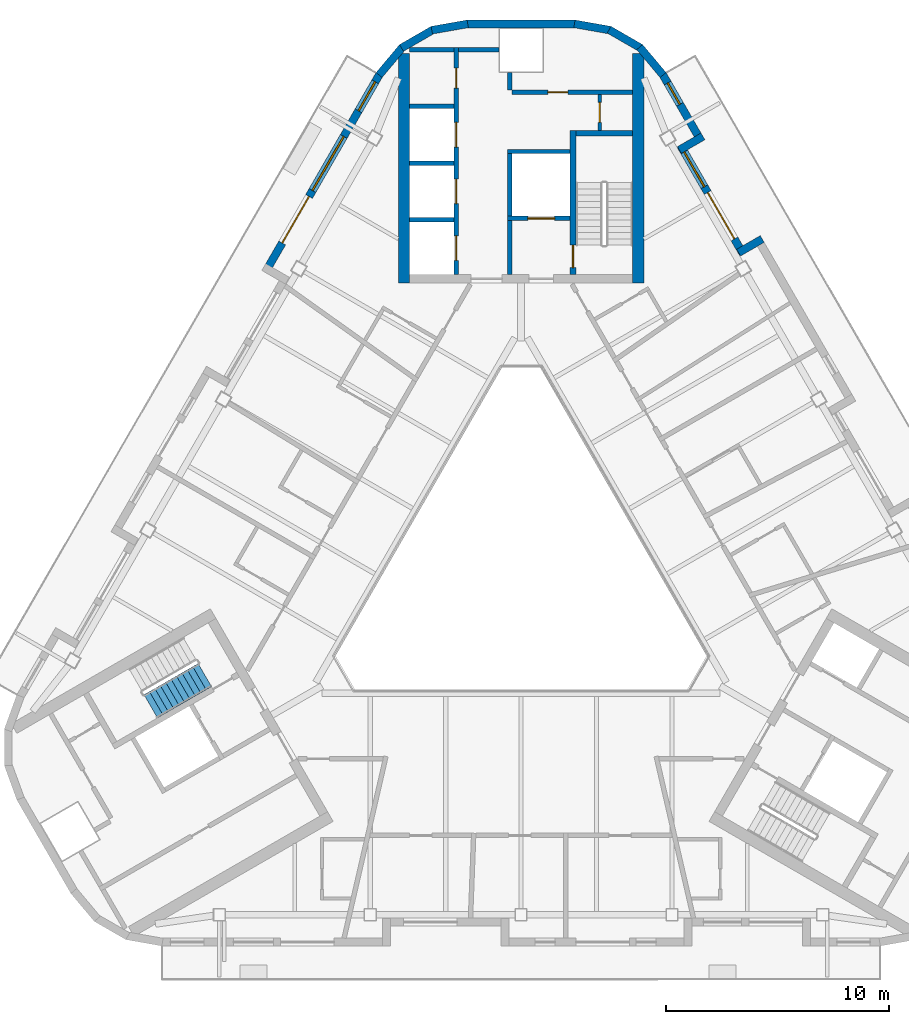
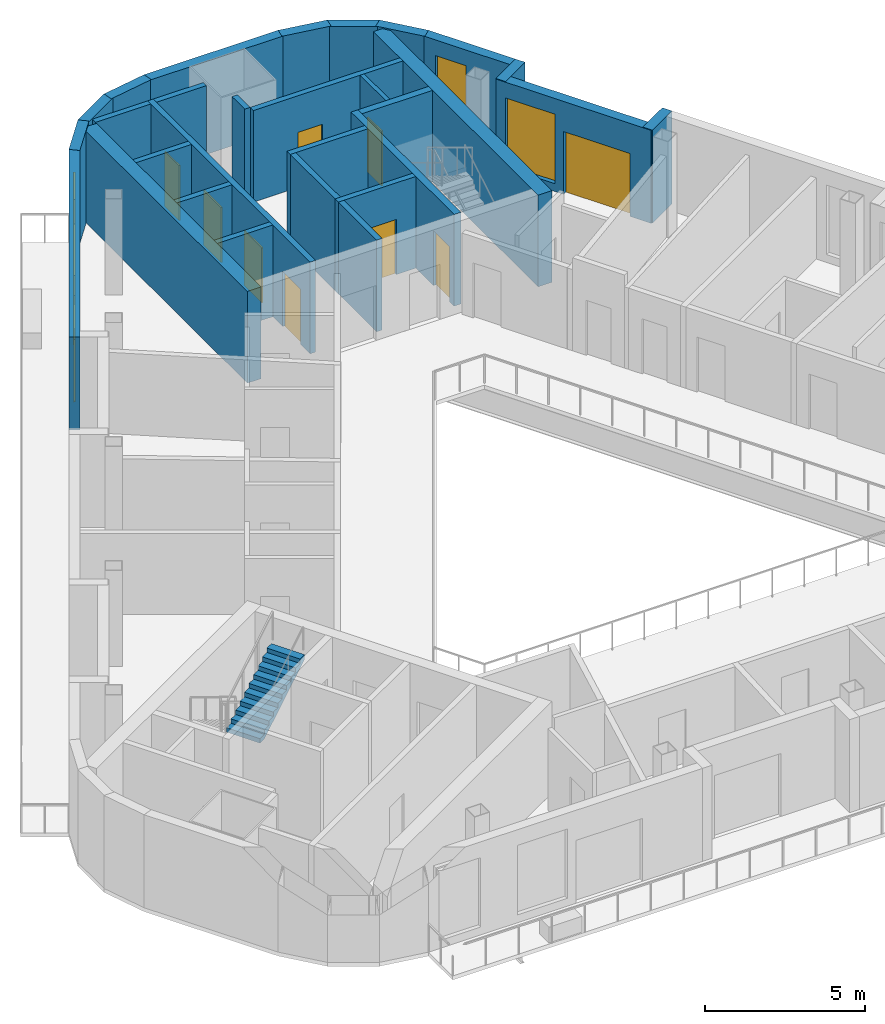
# One storey, part 7 of 12: 29 walls, 10 doors, 4 windows, 1 stair flight, 14 openings, 1 element without a shape of its own.
"""IFC4 building model written with IfcOpenShell, lengths in metres."""

from ifc_helpers import new_model, si_unit, direction, frame, frame_2d, origin, place, context, subcontext, project, spatial, polyline, rectangle, outline, extrude, material, layer, layer_set, type_object, element, fill, aggregate, save


model = new_model("IFC4")

# Units and contexts
model_context = context("Model", 3, precision=1e-05, world=origin(), true_north=direction((0.0, 1.0)))
body_context = subcontext(model_context, "Body", "Model", "MODEL_VIEW")
ifc_project = project(units=[si_unit("LENGTHUNIT", "METRE"), si_unit("AREAUNIT", "SQUARE_METRE"), si_unit("VOLUMEUNIT", "CUBIC_METRE"), si_unit("PLANEANGLEUNIT", "RADIAN"), si_unit("MASSUNIT", "GRAM", prefix="KILO")], contexts=[model_context])

# Site, building, storey
site_placement = place(None, origin())
site = spatial("IfcSite", under=ifc_project, at=site_placement, CompositionType="ELEMENT")
building_placement = place(site_placement, origin())
building = spatial("IfcBuilding", under=site, at=building_placement, Name="Apuvela Tower Hotel", CompositionType="ELEMENT")
storey_placement = place(building_placement, frame((0.0, 0.0, 305.89990234375)))
storey = spatial("IfcBuildingStorey", under=building, at=storey_placement, Name="L76", CompositionType="ELEMENT", Elevation=305.89990234375)

# Walls
ifc_material_1 = material(Name="Concrete C50/60", Category="concrete")
ifc_layer_1 = layer(ifc_material_1, 0.5)
ifc_layer_set_1 = layer_set([ifc_layer_1], Name="COR-WALL-CORE-500")
wall_type_1 = type_object("IfcWallType", Name="COR-WALL-CORE-500", PredefinedType="SHEAR", material=ifc_layer_set_1)
for number, where, z_axis, x_axis, name in (
    (1, (5.25, 12.89990234375, 0.0), (0.0, 0.0, 1.0), (0.0, 1.0, 0.0), "Core wall N"),
    (2, (-5.25, 12.89990234375, 0.0), (0.0, 0.0, 1.0), (0.0, 1.0, 0.0), "Core wall N"),
):
    element("IfcWall", number, at=place(storey_placement, frame(where, z_axis=z_axis, x_axis=x_axis)), inside=storey, type_object=wall_type_1, Name=name, PredefinedType="SHEAR", context=body_context, shape_type="SweptSolid", body=[
        extrude(rectangle(XDim=10.298583984375, YDim=0.5, at=frame_2d((5.1494140625, 0.0))), origin(), (0.0, 0.0, 1.0), 3.5),
    ])

# Wall, opening, door
ifc_material_2 = material(Name="Blockwork 150 mm plastered", Category="masonry")
ifc_layer_2 = layer(ifc_material_2, 0.14990234375)
ifc_layer_set_2 = layer_set([ifc_layer_2], Name="COR-WALL-PART-150")
wall_type_2 = type_object("IfcWallType", Name="COR-WALL-PART-150", PredefinedType="PARTITIONING", material=ifc_layer_set_2)
wall_1_placement = place(storey_placement, frame((3.52490234375, 19.75, 0.0), z_axis=(0.0, 0.0, 1.0), x_axis=(0.0, 1.0, 0.0)))
wall_1 = element("IfcWall", 3, at=wall_1_placement, inside=storey, type_object=wall_type_2, Name="Partition N", PredefinedType="PARTITIONING", context=body_context, shape_type="SweptSolid", body=[
    extrude(rectangle(XDim=1.60009765625, YDim=0.14990234375, at=frame_2d((0.800048828125, 0.0))), origin(), (0.0, 0.0, 1.0), 3.5),
])
opening_1_placement = place(wall_1_placement, frame((0.35009765625, 0.0, 0.0)))
opening_1 = element("IfcOpeningElement", 4, at=opening_1_placement, cuts=wall_1, Name="Opening N-RD", PredefinedType="OPENING", context=body_context, shape_type="SweptSolid", body=[
    extrude(rectangle(XDim=0.89990234375, YDim=2.10009765625, at=frame_2d((0.449951171875, 1.050048828125))), frame((0.0, 0.0849609375, 0.0), z_axis=(0.0, -1.0, 0.0), x_axis=(1.0, 0.0, 0.0)), (0.0, 0.0, 1.0), 0.169921875),
])
ifc_material_3 = material(Name="Steel access door, powder coated", Category="steel")
door_type_1 = type_object("IfcDoorType", Name="COR-RD-900", OperationType="NOTDEFINED", PredefinedType="DOOR", material=ifc_material_3)
door_1_placement = place(opening_1_placement, frame((0.89990234375, 0.0, 0.0), z_axis=(0.0, 0.0, 1.0), x_axis=(-1.0, 0.0, 0.0)))
door_1 = element("IfcDoor", 5, at=door_1_placement, inside=storey, type_object=door_type_1, Name="Riser door N-RD", OperationType="SINGLE_SWING_RIGHT", OverallHeight=2.10009765625, OverallWidth=0.89990234375, PredefinedType="DOOR", context=body_context, shape_type="SweptSolid", body=[
    extrude(rectangle(XDim=0.89990234375, YDim=2.10009765625, at=frame_2d((0.449951171875, 1.050048828125))), frame((0.0, 0.02490234375, 0.0), z_axis=(0.0, -1.0, 0.0), x_axis=(1.0, 0.0, 0.0)), (0.0, 0.0, 1.0), 0.050048828125),
])
fill(opening_1, door_1)

ifc_material_4 = material(Name="Blockwork 200 mm plastered", Category="masonry")
ifc_layer_3 = layer(ifc_material_4, 0.199951171875)
ifc_layer_set_3 = layer_set([ifc_layer_3], Name="COR-WALL-PART-200")
wall_type_3 = type_object("IfcWallType", Name="COR-WALL-PART-200", PredefinedType="PARTITIONING", material=ifc_layer_set_3)
wall_2_placement = place(storey_placement, frame((5.0, 21.449951171875, 0.0), z_axis=(0.0, 0.0, 1.0), x_axis=(-1.0, 0.0, 0.0)))
wall_2 = element("IfcWall", 6, at=wall_2_placement, inside=storey, type_object=wall_type_3, Name="Partition N", PredefinedType="PARTITIONING", context=body_context, shape_type="SweptSolid", body=[
    extrude(rectangle(XDim=5.39990234375, YDim=0.199951171875, at=frame_2d((2.699951171875, 0.0))), origin(), (0.0, 0.0, 1.0), 3.5),
])
opening_2_placement = place(wall_2_placement, frame((2.89990234375, 0.0, 0.0)))
opening_2 = element("IfcOpeningElement", 7, at=opening_2_placement, cuts=wall_2, Name="Opening N-RS1", PredefinedType="OPENING", context=body_context, shape_type="SweptSolid", body=[
    extrude(rectangle(XDim=0.89990234375, YDim=2.10009765625, at=frame_2d((0.449951171875, 1.050048828125))), frame((0.0, 0.10986328125, 0.0), z_axis=(0.0, -1.0, 0.0), x_axis=(1.0, 0.0, 0.0)), (0.0, 0.0, 1.0), 0.219970703125),
])
ifc_material_5 = material(Name="Steel fire door, powder coated", Category="steel")
door_type_2 = type_object("IfcDoorType", Name="COR-DR-900", OperationType="NOTDEFINED", PredefinedType="DOOR", material=ifc_material_5)
door_2_placement = place(opening_2_placement, frame((0.89990234375, 0.0, 0.0), z_axis=(0.0, 0.0, 1.0), x_axis=(-1.0, 0.0, 0.0)))
door_2 = element("IfcDoor", 8, at=door_2_placement, inside=storey, type_object=door_type_2, Name="Store door N-RS1", OperationType="SINGLE_SWING_LEFT", OverallHeight=2.10009765625, OverallWidth=0.89990234375, PredefinedType="DOOR", context=body_context, shape_type="SweptSolid", body=[
    extrude(rectangle(XDim=0.89990234375, YDim=2.10009765625, at=frame_2d((0.449951171875, 1.050048828125))), frame((0.0, 0.02490234375, 0.0), z_axis=(0.0, -1.0, 0.0), x_axis=(1.0, 0.0, 0.0)), (0.0, 0.0, 1.0), 0.050048828125),
])
fill(opening_2, door_2)

# Wall
ifc_layer_4 = layer(ifc_material_1, 0.199951171875)
ifc_layer_set_4 = layer_set([ifc_layer_4], Name="COR-WALL-SHAFT-200")
wall_type_4 = type_object("IfcWallType", Name="COR-WALL-SHAFT-200", PredefinedType="SHEAR", material=ifc_layer_set_4)
wall_3_placement = place(storey_placement, frame((2.199951171875, 18.800048828125, 0.0), z_axis=(0.0, 0.0, 1.0), x_axis=(-1.0, 0.0, 0.0)))
element("IfcWall", 9, at=wall_3_placement, inside=storey, type_object=wall_type_4, Name="Shaft wall N", PredefinedType="SHEAR", context=body_context, shape_type="SweptSolid", body=[
    extrude(rectangle(XDim=2.800048828125, YDim=0.199951171875, at=frame_2d((1.39990234375, 0.0))), origin(), (0.0, 0.0, 1.0), 3.5),
])

# Wall, opening, door
wall_4_placement = place(storey_placement, frame((2.199951171875, 15.800048828125, 0.0), z_axis=(0.0, 0.0, 1.0), x_axis=(-1.0, 0.0, 0.0)))
wall_4 = element("IfcWall", 10, at=wall_4_placement, inside=storey, type_object=wall_type_4, Name="Shaft wall N", PredefinedType="SHEAR", context=body_context, shape_type="SweptSolid", body=[
    extrude(rectangle(XDim=2.800048828125, YDim=0.199951171875, at=frame_2d((1.39990234375, 0.0))), origin(), (0.0, 0.0, 1.0), 3.5),
])
opening_3_placement = place(wall_4_placement, frame((0.699951171875, 0.0, 0.0)))
opening_3 = element("IfcOpeningElement", 11, at=opening_3_placement, cuts=wall_4, Name="Opening N-LD-FS1", PredefinedType="OPENING", context=body_context, shape_type="SweptSolid", body=[
    extrude(rectangle(XDim=1.199951171875, YDim=2.10009765625, at=frame_2d((0.60009765625, 1.050048828125))), frame((0.0, 0.10986328125, 0.0), z_axis=(0.0, -1.0, 0.0), x_axis=(1.0, 0.0, 0.0)), (0.0, 0.0, 1.0), 0.219970703125),
])
ifc_material_6 = material(Name="Stainless steel lift landing door", Category="steel")
door_type_3 = type_object("IfcDoorType", Name="COR-LD-1200", OperationType="DOUBLE_DOOR_SLIDING", PredefinedType="DOOR", material=ifc_material_6)
door_3_placement = place(opening_3_placement, origin())
door_3 = element("IfcDoor", 12, at=door_3_placement, inside=storey, type_object=door_type_3, Name="Lift landing door N-LD-FS1", OperationType="DOUBLE_DOOR_SLIDING", OverallHeight=2.10009765625, OverallWidth=1.199951171875, PredefinedType="DOOR", context=body_context, shape_type="SweptSolid", body=[
    extrude(rectangle(XDim=1.199951171875, YDim=2.10009765625, at=frame_2d((0.60009765625, 1.050048828125))), frame((0.0, 0.02490234375, 0.0), z_axis=(0.0, -1.0, 0.0), x_axis=(1.0, 0.0, 0.0)), (0.0, 0.0, 1.0), 0.050048828125),
])
fill(opening_3, door_3)

# Walls
wall_5_placement = place(storey_placement, frame((-0.5, 15.89990234375, 0.0), z_axis=(0.0, 0.0, 1.0), x_axis=(0.0, 1.0, 0.0)))
element("IfcWall", 13, at=wall_5_placement, inside=storey, type_object=wall_type_4, Name="Shaft wall N", PredefinedType="SHEAR", context=body_context, shape_type="SweptSolid", body=[
    extrude(rectangle(XDim=2.800048828125, YDim=0.199951171875, at=frame_2d((1.39990234375, 0.0))), origin(), (0.0, 0.0, 1.0), 3.5),
])
wall_6_placement = place(storey_placement, frame((-0.5, 13.300048828125, 0.0), z_axis=(0.0, 0.0, 1.0), x_axis=(0.0, 1.0, 0.0)))
element("IfcWall", 14, at=wall_6_placement, inside=storey, type_object=wall_type_4, Name="Shaft wall N", PredefinedType="SHEAR", context=body_context, shape_type="SweptSolid", body=[
    extrude(rectangle(XDim=2.39990234375, YDim=0.199951171875, at=frame_2d((1.199951171875, 0.0))), origin(), (0.0, 0.0, 1.0), 3.5),
])

# Wall, openings, doors
wall_7_placement = place(storey_placement, frame((-2.89990234375, 13.300048828125, 0.0), z_axis=(0.0, 0.0, 1.0), x_axis=(0.0, 1.0, 0.0)))
wall_7 = element("IfcWall", 15, at=wall_7_placement, inside=storey, type_object=wall_type_4, Name="Shaft wall N", PredefinedType="SHEAR", context=body_context, shape_type="SweptSolid", body=[
    extrude(rectangle(XDim=10.159912109375, YDim=0.199951171875, at=frame_2d((5.080078125, 0.0))), origin(), (0.0, 0.0, 1.0), 3.5),
])
opening_4_placement = place(wall_7_placement, frame((0.6201171875, 0.0, 0.0)))
opening_4 = element("IfcOpeningElement", 16, at=opening_4_placement, cuts=wall_7, Name="Opening N-LD-HR1", PredefinedType="OPENING", context=body_context, shape_type="SweptSolid", body=[
    extrude(rectangle(XDim=1.10009765625, YDim=2.10009765625, at=frame_2d((0.550048828125, 1.050048828125))), frame((0.0, 0.10986328125, 0.0), z_axis=(0.0, -1.0, 0.0), x_axis=(1.0, 0.0, 0.0)), (0.0, 0.0, 1.0), 0.219970703125),
])
opening_5_placement = place(wall_7_placement, frame((3.159912109375, 0.0, 0.0)))
opening_5 = element("IfcOpeningElement", 17, at=opening_5_placement, cuts=wall_7, Name="Opening N-LD-HR2", PredefinedType="OPENING", context=body_context, shape_type="SweptSolid", body=[
    extrude(rectangle(XDim=1.10009765625, YDim=2.10009765625, at=frame_2d((0.550048828125, 1.050048828125))), frame((0.0, 0.10986328125, 0.0), z_axis=(0.0, -1.0, 0.0), x_axis=(1.0, 0.0, 0.0)), (0.0, 0.0, 1.0), 0.219970703125),
])
opening_6_placement = place(wall_7_placement, frame((5.699951171875, 0.0, 0.0)))
opening_6 = element("IfcOpeningElement", 18, at=opening_6_placement, cuts=wall_7, Name="Opening N-LD-HR4", PredefinedType="OPENING", context=body_context, shape_type="SweptSolid", body=[
    extrude(rectangle(XDim=1.10009765625, YDim=2.10009765625, at=frame_2d((0.550048828125, 1.050048828125))), frame((0.0, 0.10986328125, 0.0), z_axis=(0.0, -1.0, 0.0), x_axis=(1.0, 0.0, 0.0)), (0.0, 0.0, 1.0), 0.219970703125),
])
opening_7_placement = place(wall_7_placement, frame((8.340087890625, 0.0, 0.0)))
opening_7 = element("IfcOpeningElement", 19, at=opening_7_placement, cuts=wall_7, Name="Opening N-RE4", PredefinedType="OPENING", context=body_context, shape_type="SweptSolid", body=[
    extrude(rectangle(XDim=0.89990234375, YDim=2.10009765625, at=frame_2d((0.449951171875, 1.050048828125))), frame((0.0, 0.10986328125, 0.0), z_axis=(0.0, -1.0, 0.0), x_axis=(1.0, 0.0, 0.0)), (0.0, 0.0, 1.0), 0.219970703125),
])
door_4_placement = place(opening_7_placement, origin())
door_4 = element("IfcDoor", 20, at=door_4_placement, inside=storey, type_object=door_type_2, Name="Store door N-RE4", OperationType="SINGLE_SWING_LEFT", OverallHeight=2.10009765625, OverallWidth=0.89990234375, PredefinedType="DOOR", context=body_context, shape_type="SweptSolid", body=[
    extrude(rectangle(XDim=0.89990234375, YDim=2.10009765625, at=frame_2d((0.449951171875, 1.050048828125))), frame((0.0, 0.02490234375, 0.0), z_axis=(0.0, -1.0, 0.0), x_axis=(1.0, 0.0, 0.0)), (0.0, 0.0, 1.0), 0.050048828125),
])
fill(opening_7, door_4)
door_type_4 = type_object("IfcDoorType", Name="COR-LD-1100", OperationType="DOUBLE_DOOR_SLIDING", PredefinedType="DOOR", material=ifc_material_6)
door_5_placement = place(opening_4_placement, origin())
door_5 = element("IfcDoor", 21, at=door_5_placement, inside=storey, type_object=door_type_4, Name="Lift landing door N-LD-HR1", OperationType="DOUBLE_DOOR_SLIDING", OverallHeight=2.10009765625, OverallWidth=1.10009765625, PredefinedType="DOOR", context=body_context, shape_type="SweptSolid", body=[
    extrude(rectangle(XDim=1.10009765625, YDim=2.10009765625, at=frame_2d((0.550048828125, 1.050048828125))), frame((0.0, 0.02490234375, 0.0), z_axis=(0.0, -1.0, 0.0), x_axis=(1.0, 0.0, 0.0)), (0.0, 0.0, 1.0), 0.050048828125),
])
fill(opening_4, door_5)
door_6_placement = place(opening_5_placement, origin())
door_6 = element("IfcDoor", 22, at=door_6_placement, inside=storey, type_object=door_type_4, Name="Lift landing door N-LD-HR2", OperationType="DOUBLE_DOOR_SLIDING", OverallHeight=2.10009765625, OverallWidth=1.10009765625, PredefinedType="DOOR", context=body_context, shape_type="SweptSolid", body=[
    extrude(rectangle(XDim=1.10009765625, YDim=2.10009765625, at=frame_2d((0.550048828125, 1.050048828125))), frame((0.0, 0.02490234375, 0.0), z_axis=(0.0, -1.0, 0.0), x_axis=(1.0, 0.0, 0.0)), (0.0, 0.0, 1.0), 0.050048828125),
])
fill(opening_5, door_6)
door_7_placement = place(opening_6_placement, origin())
door_7 = element("IfcDoor", 23, at=door_7_placement, inside=storey, type_object=door_type_4, Name="Lift landing door N-LD-HR4", OperationType="DOUBLE_DOOR_SLIDING", OverallHeight=2.10009765625, OverallWidth=1.10009765625, PredefinedType="DOOR", context=body_context, shape_type="SweptSolid", body=[
    extrude(rectangle(XDim=1.10009765625, YDim=2.10009765625, at=frame_2d((0.550048828125, 1.050048828125))), frame((0.0, 0.02490234375, 0.0), z_axis=(0.0, -1.0, 0.0), x_axis=(1.0, 0.0, 0.0)), (0.0, 0.0, 1.0), 0.050048828125),
])
fill(opening_6, door_7)

# Walls
wall_8_placement = place(storey_placement, frame((-1.0, 23.360107421875, 0.0), z_axis=(0.0, 0.0, 1.0), x_axis=(-1.0, 0.0, 0.0)))
element("IfcWall", 24, at=wall_8_placement, inside=storey, type_object=wall_type_4, Name="Shaft wall N", PredefinedType="SHEAR", context=body_context, shape_type="SweptSolid", body=[
    extrude(rectangle(XDim=1.800048828125, YDim=0.199951171875, at=frame_2d((0.89990234375, 0.0))), origin(), (0.0, 0.0, 1.0), 3.5),
])
wall_9_placement = place(storey_placement, frame((-0.5, 21.550048828125, 0.0), z_axis=(0.0, 0.0, 1.0), x_axis=(0.0, 1.0, 0.0)))
element("IfcWall", 25, at=wall_9_placement, inside=storey, type_object=wall_type_4, Name="Shaft wall N", PredefinedType="SHEAR", context=body_context, shape_type="SweptSolid", body=[
    extrude(rectangle(XDim=0.791259765625, YDim=0.199951171875, at=frame_2d((0.3955078125, 0.0))), origin(), (0.0, 0.0, 1.0), 3.5),
])
for number, where, z_axis, x_axis, name in (
    (26, (-3.0, 15.739990234375, 0.0), (0.0, 0.0, 1.0), (-1.0, 0.0, 0.0), "Shaft wall N"),
    (27, (-3.0, 18.280029296875, 0.0), (0.0, 0.0, 1.0), (-1.0, 0.0, 0.0), "Shaft wall N"),
    (28, (-3.0, 20.820068359375, 0.0), (0.0, 0.0, 1.0), (-1.0, 0.0, 0.0), "Shaft wall N"),
    (29, (-3.0, 23.360107421875, 0.0), (0.0, 0.0, 1.0), (-1.0, 0.0, 0.0), "Shaft wall N"),
):
    element("IfcWall", number, at=place(storey_placement, frame(where, z_axis=z_axis, x_axis=x_axis)), inside=storey, type_object=wall_type_4, Name=name, PredefinedType="SHEAR", context=body_context, shape_type="SweptSolid", body=[
        extrude(rectangle(XDim=2.0, YDim=0.199951171875, at=frame_2d((1.0, 0.0))), origin(), (0.0, 0.0, 1.0), 3.5),
    ])

# Wall, opening, door
ifc_layer_5 = layer(ifc_material_1, 0.25)
ifc_layer_set_5 = layer_set([ifc_layer_5], Name="COR-WALL-STAIR-250")
wall_type_5 = type_object("IfcWallType", Name="COR-WALL-STAIR-250", PredefinedType="SHEAR", material=ifc_layer_set_5)
wall_10_placement = place(storey_placement, frame((2.324951171875, 13.300048828125, 0.0), z_axis=(0.0, 0.0, 1.0), x_axis=(0.0, 1.0, 0.0)))
wall_10 = element("IfcWall", 30, at=wall_10_placement, inside=storey, type_object=wall_type_5, Name="Stair wall N", PredefinedType="SHEAR", context=body_context, shape_type="SweptSolid", body=[
    extrude(rectangle(XDim=6.449951171875, YDim=0.25, at=frame_2d((3.22509765625, 0.0))), origin(), (0.0, 0.0, 1.0), 3.5),
])
opening_8_placement = place(wall_10_placement, frame((0.300048828125, 0.0, 0.0)))
opening_8 = element("IfcOpeningElement", 31, at=opening_8_placement, cuts=wall_10, Name="Opening N-SD", PredefinedType="OPENING", context=body_context, shape_type="SweptSolid", body=[
    extrude(rectangle(XDim=1.0, YDim=2.10009765625, at=frame_2d((0.5, 1.050048828125))), frame((0.0, 0.135009765625, 0.0), z_axis=(0.0, -1.0, 0.0), x_axis=(1.0, 0.0, 0.0)), (0.0, 0.0, 1.0), 0.27001953125),
])
door_type_5 = type_object("IfcDoorType", Name="COR-SD-1000", OperationType="NOTDEFINED", PredefinedType="DOOR", material=ifc_material_5)
door_8_placement = place(opening_8_placement, frame((1.0, 0.0, 0.0), z_axis=(0.0, 0.0, 1.0), x_axis=(-1.0, 0.0, 0.0)))
door_8 = element("IfcDoor", 32, at=door_8_placement, inside=storey, type_object=door_type_5, Name="Stair door N-SD", OperationType="SINGLE_SWING_LEFT", OverallHeight=2.10009765625, OverallWidth=1.0, PredefinedType="DOOR", context=body_context, shape_type="SweptSolid", body=[
    extrude(rectangle(XDim=1.0, YDim=2.10009765625, at=frame_2d((0.5, 1.050048828125))), frame((0.0, 0.02490234375, 0.0), z_axis=(0.0, -1.0, 0.0), x_axis=(1.0, 0.0, 0.0)), (0.0, 0.0, 1.0), 0.050048828125),
])
fill(opening_8, door_8)

# Wall
wall_11_placement = place(storey_placement, frame((5.0, 19.625, 0.0), z_axis=(0.0, 0.0, 1.0), x_axis=(-1.0, 0.0, 0.0)))
element("IfcWall", 33, at=wall_11_placement, inside=storey, type_object=wall_type_5, Name="Stair wall N", PredefinedType="SHEAR", context=body_context, shape_type="SweptSolid", body=[
    extrude(rectangle(XDim=2.550048828125, YDim=0.25, at=frame_2d((1.27490234375, 0.0))), origin(), (0.0, 0.0, 1.0), 3.5),
])

# Wall, openings, door, windows
ifc_material_7 = material(Name="Concrete C40/50, dark pigmented precast panel", Category="concrete")
ifc_layer_6 = layer(ifc_material_7, 0.35009765625)
ifc_layer_set_6 = layer_set([ifc_layer_6], Name="ENV-WALL-350")
wall_type_6 = type_object("IfcWallType", Name="ENV-WALL-350", PredefinedType="SOLIDWALL", material=ifc_layer_set_6)
wall_12_placement = place(storey_placement, frame((-6.343994140625, 22.251220703125, 0.0), z_axis=(0.0, 0.0, 1.0), x_axis=(-0.499983205548, -0.866035099848, 0.0)))
wall_12 = element("IfcWall", 34, at=wall_12_placement, inside=storey, type_object=wall_type_6, Name="External wall L76-01", PredefinedType="SOLIDWALL", context=body_context, shape_type="SweptSolid", body=[
    extrude(rectangle(XDim=10.239013671875, YDim=0.35009765625, at=frame_2d((5.11962890625, 0.0))), origin(), (0.0, 0.0, 1.0), 3.550048828125),
])
opening_9_placement = place(wall_12_placement, frame((0.381103515625, 0.0, 0.300048828125)))
opening_9 = element("IfcOpeningElement", 35, at=opening_9_placement, cuts=wall_12, Name="Opening WN15", PredefinedType="OPENING", context=body_context, shape_type="SweptSolid", body=[
    extrude(rectangle(XDim=1.5, YDim=2.64990234375, at=frame_2d((0.75, 1.324951171875))), frame((0.0, 0.18505859375, 0.0), z_axis=(0.0, -1.0, 0.0), x_axis=(1.0, 0.0, 0.0)), (0.0, 0.0, 1.0), 0.3701171875),
])
opening_10_placement = place(wall_12_placement, frame((6.314453125, 0.0, 0.0)))
opening_10 = element("IfcOpeningElement", 36, at=opening_10_placement, cuts=wall_12, Name="Opening BD24", PredefinedType="OPENING", context=body_context, shape_type="SweptSolid", body=[
    extrude(rectangle(XDim=2.39990234375, YDim=2.39990234375, at=frame_2d((1.199951171875, 1.199951171875))), frame((0.0, 0.18505859375, 0.0), z_axis=(0.0, -1.0, 0.0), x_axis=(1.0, 0.0, 0.0)), (0.0, 0.0, 1.0), 0.3701171875),
])
opening_11_placement = place(wall_12_placement, frame((3.204833984375, 0.0, 0.300048828125)))
opening_11 = element("IfcOpeningElement", 37, at=opening_11_placement, cuts=wall_12, Name="Opening WN28", PredefinedType="OPENING", context=body_context, shape_type="SweptSolid", body=[
    extrude(rectangle(XDim=2.800048828125, YDim=2.64990234375, at=frame_2d((1.39990234375, 1.324951171875))), frame((0.0, 0.18505859375, 0.0), z_axis=(0.0, -1.0, 0.0), x_axis=(1.0, 0.0, 0.0)), (0.0, 0.0, 1.0), 0.3701171875),
])
ifc_material_8 = material(Name="Aluminium 6063-T6, dark bronze anodised frame with dark tinted laminated glass", Category="aluminium")
door_type_6 = type_object("IfcDoorType", Name="ENV-DOOR-BALCONY-2400x2400", OperationType="SLIDING_TO_LEFT", PredefinedType="DOOR", material=ifc_material_8)
door_9_placement = place(opening_10_placement, frame((2.39990234375, 0.0, 0.0), z_axis=(0.0, 0.0, 1.0), x_axis=(-1.0, 0.0, 0.0)))
door_9 = element("IfcDoor", 38, at=door_9_placement, inside=storey, type_object=door_type_6, Name="Balcony door BD24", OperationType="SLIDING_TO_LEFT", OverallHeight=2.39990234375, OverallWidth=2.39990234375, PredefinedType="DOOR", context=body_context, shape_type="SweptSolid", body=[
    extrude(rectangle(XDim=2.39990234375, YDim=2.39990234375, at=frame_2d((1.199951171875, 1.199951171875))), frame((0.0, 0.02490234375, 0.0), z_axis=(0.0, -1.0, 0.0), x_axis=(1.0, 0.0, 0.0)), (0.0, 0.0, 1.0), 0.050048828125),
])
fill(opening_10, door_9)
ifc_material_9 = material(Name="Glass, dark tinted laminated insulated glazing unit", Category="glass")
window_type_1 = type_object("IfcWindowType", Name="ENV-WIN-1500x2650", PartitioningType="SINGLE_PANEL", PredefinedType="WINDOW", material=ifc_material_9)
window_1_placement = place(opening_9_placement, origin())
window_1 = element("IfcWindow", 39, at=window_1_placement, inside=storey, type_object=window_type_1, Name="Window WN15", OverallHeight=2.64990234375, OverallWidth=1.5, PartitioningType="SINGLE_PANEL", PredefinedType="WINDOW", context=body_context, shape_type="SweptSolid", body=[
    extrude(rectangle(XDim=1.5, YDim=2.64990234375, at=frame_2d((0.75, 1.324951171875))), frame((0.0, 0.030029296875, 0.0), z_axis=(0.0, -1.0, 0.0), x_axis=(1.0, 0.0, 0.0)), (0.0, 0.0, 1.0), 0.06005859375),
])
fill(opening_9, window_1)
window_type_2 = type_object("IfcWindowType", Name="ENV-WIN-2800x2650", PartitioningType="SINGLE_PANEL", PredefinedType="WINDOW", material=ifc_material_9)
window_2_placement = place(opening_11_placement, origin())
window_2 = element("IfcWindow", 40, at=window_2_placement, inside=storey, type_object=window_type_2, Name="Window WN28", OverallHeight=2.64990234375, OverallWidth=2.800048828125, PartitioningType="SINGLE_PANEL", PredefinedType="WINDOW", context=body_context, shape_type="SweptSolid", body=[
    extrude(rectangle(XDim=2.800048828125, YDim=2.64990234375, at=frame_2d((1.39990234375, 1.324951171875))), frame((0.0, 0.030029296875, 0.0), z_axis=(0.0, -1.0, 0.0), x_axis=(1.0, 0.0, 0.0)), (0.0, 0.0, 1.0), 0.06005859375),
])
fill(opening_11, window_2)

# Wall
wall_13_placement = place(storey_placement, frame((10.802490234375, 14.878662109375, 0.0), z_axis=(0.0, 0.0, 1.0), x_axis=(-0.866005645448, -0.500034220881, 0.0)))
element("IfcWall", 41, at=wall_13_placement, inside=storey, type_object=wall_type_6, Name="External wall L76-38", PredefinedType="SOLIDWALL", context=body_context, shape_type="SweptSolid", body=[
    extrude(rectangle(XDim=1.22021484375, YDim=0.35009765625, at=frame_2d((0.610107421875, 0.0))), origin(), (0.0, 0.0, 1.0), 3.550048828125),
])

# Wall, openings, door, window
wall_14_placement = place(storey_placement, frame((9.944091796875, 14.215576171875, 0.0), z_axis=(0.0, 0.0, 1.0), x_axis=(-0.500026936782, 0.866009851268, 0.0)))
wall_14 = element("IfcWall", 42, at=wall_14_placement, inside=storey, type_object=wall_type_6, Name="External wall L76-39", PredefinedType="SOLIDWALL", context=body_context, shape_type="SweptSolid", body=[
    extrude(rectangle(XDim=5.598876953125, YDim=0.35009765625, at=frame_2d((2.79931640625, 0.0))), origin(), (0.0, 0.0, 1.0), 3.550048828125),
])
opening_12_placement = place(wall_14_placement, frame((0.77001953125, 0.0, 0.0)))
opening_12 = element("IfcOpeningElement", 43, at=opening_12_placement, cuts=wall_14, Name="Opening BD24", PredefinedType="OPENING", context=body_context, shape_type="SweptSolid", body=[
    extrude(rectangle(XDim=2.39990234375, YDim=2.39990234375, at=frame_2d((1.199951171875, 1.199951171875))), frame((0.0, 0.18505859375, 0.0), z_axis=(0.0, -1.0, 0.0), x_axis=(1.0, 0.0, 0.0)), (0.0, 0.0, 1.0), 0.3701171875),
])
opening_13_placement = place(wall_14_placement, frame((3.469970703125, 0.0, 0.300048828125)))
opening_13 = element("IfcOpeningElement", 44, at=opening_13_placement, cuts=wall_14, Name="Opening WN18", PredefinedType="OPENING", context=body_context, shape_type="SweptSolid", body=[
    extrude(rectangle(XDim=1.800048828125, YDim=2.64990234375, at=frame_2d((0.89990234375, 1.324951171875))), frame((0.0, 0.18505859375, 0.0), z_axis=(0.0, -1.0, 0.0), x_axis=(1.0, 0.0, 0.0)), (0.0, 0.0, 1.0), 0.3701171875),
])
door_10_placement = place(opening_12_placement, frame((2.39990234375, 0.0, 0.0), z_axis=(0.0, 0.0, 1.0), x_axis=(-1.0, 0.0, 0.0)))
door_10 = element("IfcDoor", 45, at=door_10_placement, inside=storey, type_object=door_type_6, Name="Balcony door BD24", OperationType="SLIDING_TO_LEFT", OverallHeight=2.39990234375, OverallWidth=2.39990234375, PredefinedType="DOOR", context=body_context, shape_type="SweptSolid", body=[
    extrude(rectangle(XDim=2.39990234375, YDim=2.39990234375, at=frame_2d((1.199951171875, 1.199951171875))), frame((0.0, 0.02490234375, 0.0), z_axis=(0.0, -1.0, 0.0), x_axis=(1.0, 0.0, 0.0)), (0.0, 0.0, 1.0), 0.050048828125),
])
fill(opening_12, door_10)
window_type_3 = type_object("IfcWindowType", Name="ENV-WIN-1800x2650", PartitioningType="SINGLE_PANEL", PredefinedType="WINDOW", material=ifc_material_9)
window_3_placement = place(opening_13_placement, origin())
window_3 = element("IfcWindow", 46, at=window_3_placement, inside=storey, type_object=window_type_3, Name="Window WN18", OverallHeight=2.64990234375, OverallWidth=1.800048828125, PartitioningType="SINGLE_PANEL", PredefinedType="WINDOW", context=body_context, shape_type="SweptSolid", body=[
    extrude(rectangle(XDim=1.800048828125, YDim=2.64990234375, at=frame_2d((0.89990234375, 1.324951171875))), frame((0.0, 0.030029296875, 0.0), z_axis=(0.0, -1.0, 0.0), x_axis=(1.0, 0.0, 0.0)), (0.0, 0.0, 1.0), 0.06005859375),
])
fill(opening_13, window_3)

# Wall
wall_15_placement = place(storey_placement, frame((7.091552734375, 18.8662109375, 0.0), z_axis=(0.0, 0.0, 1.0), x_axis=(0.866005645448, 0.500034220881, 0.0)))
element("IfcWall", 47, at=wall_15_placement, inside=storey, type_object=wall_type_6, Name="External wall L76-40", PredefinedType="SOLIDWALL", context=body_context, shape_type="SweptSolid", body=[
    extrude(rectangle(XDim=1.22021484375, YDim=0.35009765625, at=frame_2d((0.610107421875, 0.0))), origin(), (0.0, 0.0, 1.0), 3.550048828125),
])

# Wall, opening, window
wall_16_placement = place(storey_placement, frame((8.083984375, 19.237060546875, 0.0), z_axis=(0.0, 0.0, 1.0), x_axis=(-0.499949154193, 0.866054757635, 0.0)))
wall_16 = element("IfcWall", 48, at=wall_16_placement, inside=storey, type_object=wall_type_6, Name="External wall L76-41", PredefinedType="SOLIDWALL", context=body_context, shape_type="SweptSolid", body=[
    extrude(rectangle(XDim=3.480224609375, YDim=0.35009765625, at=frame_2d((1.740234375, 0.0))), origin(), (0.0, 0.0, 1.0), 3.550048828125),
])
opening_14_placement = place(wall_16_placement, frame((1.935302734375, 0.0, 0.300048828125)))
opening_14 = element("IfcOpeningElement", 49, at=opening_14_placement, cuts=wall_16, Name="Opening WN11", PredefinedType="OPENING", context=body_context, shape_type="SweptSolid", body=[
    extrude(rectangle(XDim=1.10009765625, YDim=2.64990234375, at=frame_2d((0.550048828125, 1.324951171875))), frame((0.0, 0.18505859375, 0.0), z_axis=(0.0, -1.0, 0.0), x_axis=(1.0, 0.0, 0.0)), (0.0, 0.0, 1.0), 0.3701171875),
])
window_type_4 = type_object("IfcWindowType", Name="ENV-WIN-1100x2650", PartitioningType="SINGLE_PANEL", PredefinedType="WINDOW", material=ifc_material_9)
window_4_placement = place(opening_14_placement, origin())
window_4 = element("IfcWindow", 50, at=window_4_placement, inside=storey, type_object=window_type_4, Name="Window WN11", OverallHeight=2.64990234375, OverallWidth=1.10009765625, PartitioningType="SINGLE_PANEL", PredefinedType="WINDOW", context=body_context, shape_type="SweptSolid", body=[
    extrude(rectangle(XDim=1.10009765625, YDim=2.64990234375, at=frame_2d((0.550048828125, 1.324951171875))), frame((0.0, 0.030029296875, 0.0), z_axis=(0.0, -1.0, 0.0), x_axis=(1.0, 0.0, 0.0)), (0.0, 0.0, 1.0), 0.06005859375),
])
fill(opening_14, window_4)

# Walls
wall_17_placement = place(storey_placement, frame((6.361328125, 22.22607421875, 0.0), z_axis=(0.0, 0.0, 1.0), x_axis=(-0.642782014883, 0.766049137682, 0.0)))
element("IfcWall", 51, at=wall_17_placement, inside=storey, type_object=wall_type_6, Name="External wall L76-42", PredefinedType="SOLIDWALL", context=body_context, shape_type="SweptSolid", body=[
    extrude(rectangle(XDim=1.634033203125, YDim=0.35009765625, at=frame_2d((0.81689453125, 0.0))), origin(), (0.0, 0.0, 1.0), 3.550048828125),
])
wall_18_placement = place(storey_placement, frame((5.357666015625, 23.43896484375, 0.0), z_axis=(0.0, 0.0, 1.0), x_axis=(-0.866018903231, 0.500011259119, 0.0)))
element("IfcWall", 52, at=wall_18_placement, inside=storey, type_object=wall_type_6, Name="External wall L76-43", PredefinedType="SOLIDWALL", context=body_context, shape_type="SweptSolid", body=[
    extrude(rectangle(XDim=1.63427734375, YDim=0.35009765625, at=frame_2d((0.817138671875, 0.0))), origin(), (0.0, 0.0, 1.0), 3.550048828125),
])
wall_19_placement = place(storey_placement, frame((3.99951171875, 24.235107421875, 0.0), z_axis=(0.0, 0.0, 1.0), x_axis=(-0.984795586247, 0.173717164691, 0.0)))
element("IfcWall", 53, at=wall_19_placement, inside=storey, type_object=wall_type_6, Name="External wall L76-44", PredefinedType="SOLIDWALL", context=body_context, shape_type="SweptSolid", body=[
    extrude(rectangle(XDim=1.634521484375, YDim=0.35009765625, at=frame_2d((0.8173828125, 0.0))), origin(), (0.0, 0.0, 1.0), 3.550048828125),
])
wall_20_placement = place(storey_placement, frame((2.42041015625, 24.516357421875, 0.0), z_axis=(0.0, 0.0, 1.0), x_axis=(-1.0, 0.0, 0.0)))
element("IfcWall", 54, at=wall_20_placement, inside=storey, type_object=wall_type_6, Name="External wall L76-45", PredefinedType="SOLIDWALL", context=body_context, shape_type="SweptSolid", body=[
    extrude(rectangle(XDim=4.8408203125, YDim=0.35009765625, at=frame_2d((2.42041015625, 0.0))), origin(), (0.0, 0.0, 1.0), 3.550048828125),
])
wall_21_placement = place(storey_placement, frame((-2.389892578125, 24.51904296875, 0.0), z_axis=(0.0, 0.0, 1.0), x_axis=(-0.984795586247, -0.173717164691, 0.0)))
element("IfcWall", 55, at=wall_21_placement, inside=storey, type_object=wall_type_6, Name="External wall L76-46", PredefinedType="SOLIDWALL", context=body_context, shape_type="SweptSolid", body=[
    extrude(rectangle(XDim=1.634521484375, YDim=0.35009765625, at=frame_2d((0.8173828125, 0.0))), origin(), (0.0, 0.0, 1.0), 3.550048828125),
])
wall_22_placement = place(storey_placement, frame((-3.9423828125, 24.256103515625, 0.0), z_axis=(0.0, 0.0, 1.0), x_axis=(-0.866018903231, -0.500011259119, 0.0)))
element("IfcWall", 56, at=wall_22_placement, inside=storey, type_object=wall_type_6, Name="External wall L76-47", PredefinedType="SOLIDWALL", context=body_context, shape_type="SweptSolid", body=[
    extrude(rectangle(XDim=1.63427734375, YDim=0.35009765625, at=frame_2d((0.817138671875, 0.0))), origin(), (0.0, 0.0, 1.0), 3.550048828125),
])
wall_23_placement = place(storey_placement, frame((-5.31103515625, 23.477783203125, 0.0), z_axis=(0.0, 0.0, 1.0), x_axis=(-0.642782014883, -0.766049137682, 0.0)))
element("IfcWall", 57, at=wall_23_placement, inside=storey, type_object=wall_type_6, Name="External wall L76-48", PredefinedType="SOLIDWALL", context=body_context, shape_type="SweptSolid", body=[
    extrude(rectangle(XDim=1.634033203125, YDim=0.35009765625, at=frame_2d((0.81689453125, 0.0))), origin(), (0.0, 0.0, 1.0), 3.550048828125),
])

# Stair, stair flight
stair_type = type_object("IfcStairType", Name="COR-STAIR-22R", PredefinedType="HALF_TURN_STAIR", material=ifc_material_1)
stair_placement = place(storey_placement, origin())
stair = element("IfcStair", 58, at=stair_placement, inside=storey, type_object=stair_type, Name="L76 Exit stair ST2", PredefinedType="HALF_TURN_STAIR")
stair_flight_type = type_object("IfcStairFlightType", Name="COR-FLIGHT-11R", PredefinedType="STRAIGHT", material=ifc_material_1)
stair_flight_placement = place(storey_placement, frame((-16.59375, -6.05859375, 1.85009765625), z_axis=(0.0, 0.0, 1.0), x_axis=(0.866025403784, 0.5, 0.0)))
stair_flight = element("IfcStairFlight", 59, at=stair_flight_placement, type_object=stair_flight_type, Name="ST2 flight 2", NumberOfRisers=11, NumberOfTreads=10, PredefinedType="STRAIGHT", RiserHeight=0.168181818, TreadLength=0.28, context=body_context, shape_type="SweptSolid", body=[
    extrude(outline(polyline([(0.0, 0.0), (0.0, 0.168212890625), (0.280029296875, 0.168212890625), (0.280029296875, 0.33642578125), (0.56005859375, 0.33642578125), (0.56005859375, 0.504638671875), (0.840087890625, 0.504638671875), (0.840087890625, 0.672607421875), (1.1201171875, 0.672607421875), (1.1201171875, 0.8408203125), (1.39990234375, 0.8408203125), (1.39990234375, 1.009033203125), (1.679931640625, 1.009033203125), (1.679931640625, 1.17724609375), (1.9599609375, 1.17724609375), (1.9599609375, 1.345458984375), (2.239990234375, 1.345458984375), (2.239990234375, 1.513671875), (2.52001953125, 1.513671875), (2.52001953125, 1.681884765625), (2.800048828125, 1.681884765625), (2.800048828125, 1.85009765625), (2.800048828125, 1.5068359375), (0.291015625, 0.0), (0.0, 0.0)])), frame((0.0, 0.60009765625, 0.0), z_axis=(0.0, -1.0, 0.0), x_axis=(1.0, 0.0, 0.0)), (0.0, 0.0, 1.0), 1.199951171875),
])
aggregate(stair, [stair_flight])

save(model, "model.ifc")
